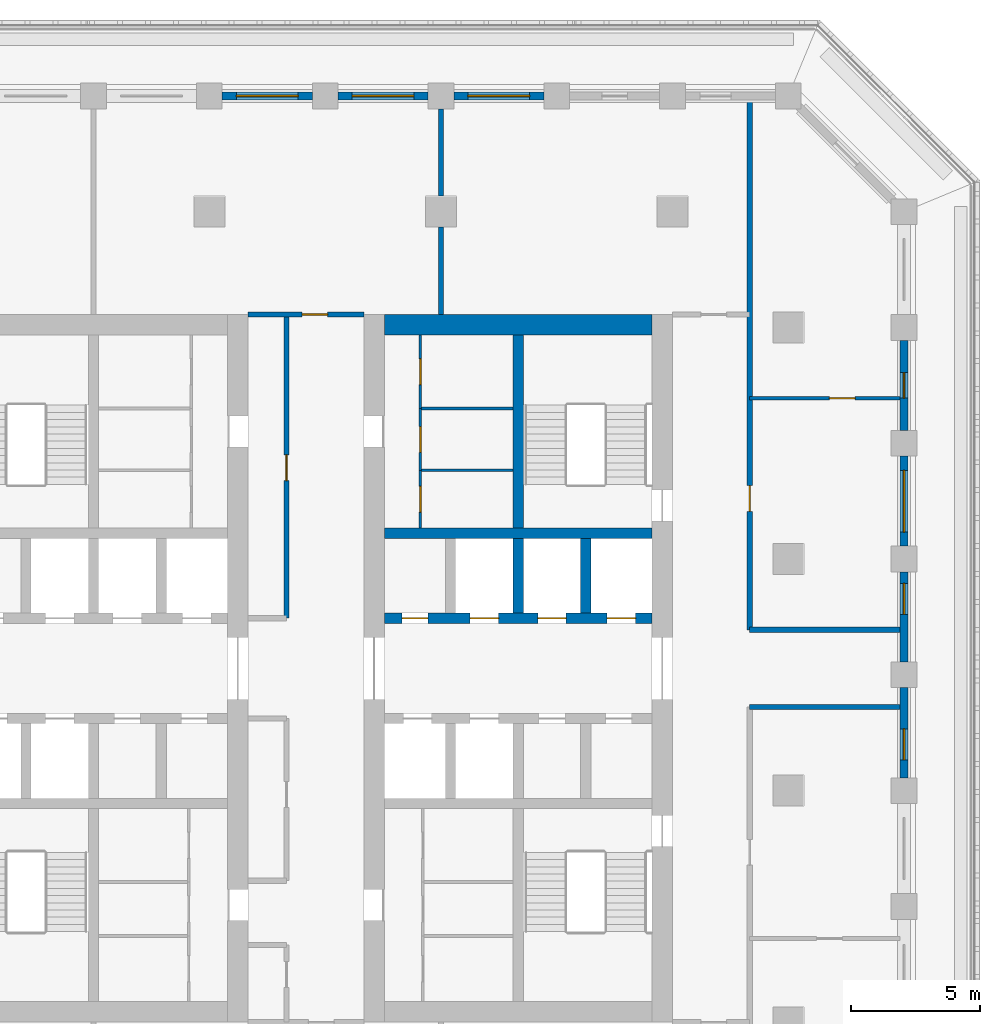
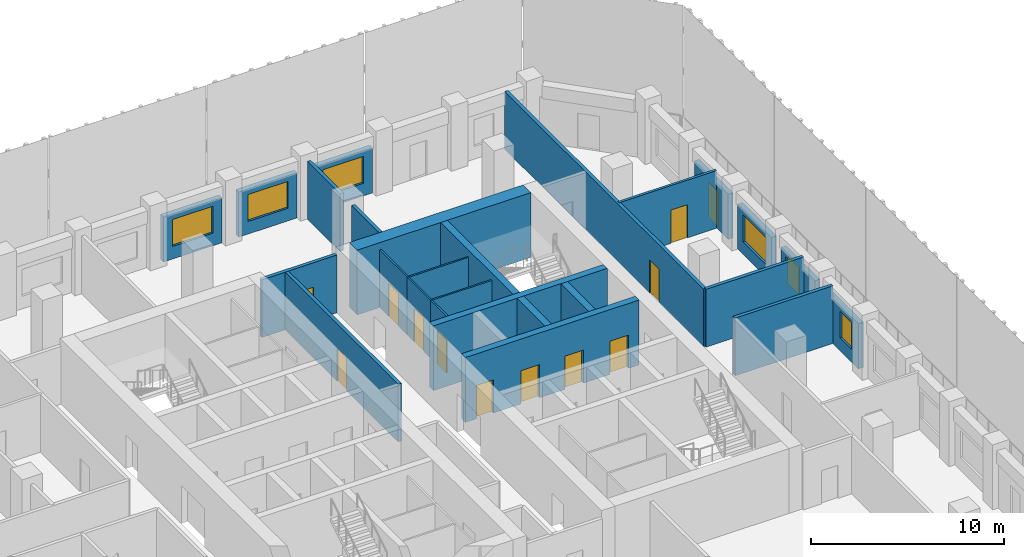
# One storey, part 7 of 16: 26 walls, 12 doors, 6 windows, 18 openings.
"""IFC4 building model written with IfcOpenShell, lengths in metres."""

import ifcopenshell
import ifcopenshell.guid

model = None  # the IFC model being written
_history = None  # IfcOwnerHistory: only IFC2X3 demands one
_inside = {}  # id of a spatial element -> (the spatial element, [elements in it])
_under = {}  # id of a project, library or spatial element -> (it, [spatial elements below it])
_declared = {}  # id of a project -> (the project, [libraries it declares])
_typed = {}  # id of a type object -> (the type object, [elements of that type])
_made_of = {}  # id of a material, layer set ... -> (it, [elements and type objects made of it])


def new_model(schema):
    """Start an empty IFC model of exactly this schema.

    Asked for "IFC4X3", IfcOpenShell would pick the latest addendum, in which some entities
    have other attributes; the version numbers below select the first issue.
    IFC2X3 requires an IfcOwnerHistory on every rooted entity: one is made here for all.
    """
    global model, _history
    if schema == "IFC4X3":
        model = ifcopenshell.file(schema_version=(4, 3, 0, 0))
    else:
        model = ifcopenshell.file(schema=schema)
    _inside.clear()
    _under.clear()
    _declared.clear()
    _typed.clear()
    _made_of.clear()
    _history = None
    if model.schema == "IFC2X3":
        org = make("IfcOrganization", Name="unknown")
        user = make(
            "IfcPersonAndOrganization",
            ThePerson=make("IfcPerson", FamilyName="unknown"),
            TheOrganization=org,
        )
        app = make(
            "IfcApplication",
            ApplicationDeveloper=org,
            Version="unknown",
            ApplicationFullName="unknown",
            ApplicationIdentifier="unknown",
        )
        _history = make(
            "IfcOwnerHistory",
            OwningUser=user,
            OwningApplication=app,
            ChangeAction="ADDED",
            CreationDate=0,
        )
    return model


def make(cls, **values):
    """One entity of the class cls with the attributes given. An attribute that is None is left unset."""
    return model.create_entity(
        cls, **{name: value for name, value in values.items() if value is not None}
    )


def rooted(cls, **values):
    """An entity with a GlobalId (a new one), such as an element, a storey or a relation."""
    return make(cls, GlobalId=ifcopenshell.guid.new(), OwnerHistory=_history, **values)


def si_unit(unit_type, name, prefix=None):
    """IfcSIUnit, for example si_unit("LENGTHUNIT", "METRE", prefix="MILLI")."""
    return make("IfcSIUnit", UnitType=unit_type, Prefix=prefix, Name=name)


def assignment(units):
    """IfcUnitAssignment: the units of a project."""
    return None if units is None else make("IfcUnitAssignment", Units=units)


def point(xyz):
    """IfcCartesianPoint."""
    return None if xyz is None else make("IfcCartesianPoint", Coordinates=xyz)


def direction(xyz):
    """IfcDirection."""
    return None if xyz is None else make("IfcDirection", DirectionRatios=xyz)


def frame(location, z_axis=None, x_axis=None):
    """IfcAxis2Placement3D, a coordinate frame: its origin and axes. An axis left out is left unset."""
    return make(
        "IfcAxis2Placement3D",
        Location=point(location),
        Axis=direction(z_axis),
        RefDirection=direction(x_axis),
    )


def frame_2d(location, x_axis=None):
    """IfcAxis2Placement2D, a coordinate frame in the plane: its origin and x axis."""
    return make(
        "IfcAxis2Placement2D", Location=point(location), RefDirection=direction(x_axis)
    )


def origin():
    """The frame at (0, 0, 0) with its axes left unset."""
    return frame((0.0, 0.0, 0.0))


def place(relative_to, where):
    """IfcLocalPlacement: puts the frame where relative to a parent placement (None: the world)."""
    return make(
        "IfcLocalPlacement", PlacementRelTo=relative_to, RelativePlacement=where
    )


def context(
    kind, dimensions, precision=None, world=None, true_north=None, identifier=None
):
    """IfcGeometricRepresentationContext, for example the 3D "Model" context."""
    return make(
        "IfcGeometricRepresentationContext",
        ContextIdentifier=identifier,
        ContextType=kind,
        CoordinateSpaceDimension=dimensions,
        Precision=precision,
        WorldCoordinateSystem=world,
        TrueNorth=true_north,
    )


def subcontext(parent, identifier, kind, view, scale=None):
    """IfcGeometricRepresentationSubContext, for example "Body" below "Model"."""
    return make(
        "IfcGeometricRepresentationSubContext",
        ContextIdentifier=identifier,
        ContextType=kind,
        ParentContext=parent,
        TargetScale=scale,
        TargetView=view,
    )


def project(units=None, contexts=None):
    """IfcProject with its units and contexts."""
    return rooted(
        "IfcProject",
        Name="project",
        RepresentationContexts=contexts,
        UnitsInContext=assignment(units),
    )


def spatial(cls, under=None, at=None, **own):
    """A site, building, storey or space (cls), placed at a placement, below another one or the project."""
    s = rooted(cls, ObjectPlacement=at, **own)
    if under is not None:
        _under.setdefault(under.id(), (under, []))[1].append(s)
    return s


def profile(cls, at=None, kind="AREA", **sizes):
    """A parametric profile (cls). Its sizes go by their IFC names, for example OverallWidth=200.0."""
    return make(cls, ProfileType=kind, Position=at, **sizes)


def rectangle(**sizes):
    """IfcRectangleProfileDef."""
    return profile("IfcRectangleProfileDef", **sizes)


def extrude(swept, where, along, depth):
    """IfcExtrudedAreaSolid: the profile swept, set in the frame where, extruded along a direction by depth."""
    return make(
        "IfcExtrudedAreaSolid",
        SweptArea=swept,
        Position=where,
        ExtrudedDirection=direction(along),
        Depth=depth,
    )


def shape(context_of_items, identifier, shape_type, items):
    """IfcShapeRepresentation: the items that make up one representation, for example the "Body"."""
    return make(
        "IfcShapeRepresentation",
        ContextOfItems=context_of_items,
        RepresentationIdentifier=identifier,
        RepresentationType=shape_type,
        Items=items,
    )


def material(Name=None, Category=None):
    """IfcMaterial."""
    return make("IfcMaterial", Name=Name, Category=Category)


def layer(
    of_material, thickness, ventilated=None, Name=None, Category=None, Priority=None
):
    """IfcMaterialLayer: one layer of a wall or slab, of a material (None: an air gap)."""
    return make(
        "IfcMaterialLayer",
        Material=of_material,
        LayerThickness=thickness,
        IsVentilated=ventilated,
        Name=Name,
        Category=Category,
        Priority=Priority,
    )


def layer_set(layers, Name=None):
    """IfcMaterialLayerSet."""
    return make("IfcMaterialLayerSet", MaterialLayers=layers, LayerSetName=Name)


def made_of(thing, what):
    """Note that an element or type object is made of a material, layer set ...; save() writes the relation."""
    if what is not None:
        _made_of.setdefault(what.id(), (what, []))[1].append(thing)
    return thing


def type_object(cls, material=None, **own):
    """A type object (cls), such as IfcWallType, which elements share."""
    return made_of(rooted(cls, **own), material)


def element(
    cls,
    number,
    at=None,
    inside=None,
    cuts=None,
    type_object=None,
    material=None,
    context=None,
    identifier="Body",
    shape_type=None,
    held_by="IfcProductDefinitionShape",
    body=None,
    shapes=None,
    **own,
):
    """One element of the class cls, such as IfcWall. Its Tag is "e" and its number.

    at: its placement. inside: the storey or other place that contains it. cuts: it is an
    opening in that element (IfcRelVoidsElement). A single representation is given by context,
    identifier, shape_type and body (its items); several are given by shapes. held_by: the class
    of the entity that holds the representations. save() writes the other relations.
    """
    e = rooted(cls, Tag="e%d" % number, ObjectPlacement=at, **own)
    if body is not None:
        shapes = [shape(context, identifier, shape_type, body)]
    if shapes is not None:
        e.Representation = make(held_by, Representations=shapes)
    if inside is not None:
        _inside.setdefault(inside.id(), (inside, []))[1].append(e)
    if cuts is not None:
        rooted(
            "IfcRelVoidsElement", RelatingBuildingElement=cuts, RelatedOpeningElement=e
        )
    if type_object is not None:
        _typed.setdefault(type_object.id(), (type_object, []))[1].append(e)
    return made_of(e, material)


def fill(opening, filler):
    """IfcRelFillsElement: the door or window that sits in an opening."""
    return rooted(
        "IfcRelFillsElement",
        RelatingOpeningElement=opening,
        RelatedBuildingElement=filler,
    )


def aggregate(whole, parts):
    """IfcRelAggregates: a whole, such as a stair, and the parts it consists of."""
    return rooted("IfcRelAggregates", RelatingObject=whole, RelatedObjects=parts)


def save(model, path):
    """Write the relations noted so far, then the file.

    IfcRelAggregates (storeys below a building ...), IfcRelContainedInSpatialStructure (elements
    in a storey), IfcRelDefinesByType, IfcRelAssociatesMaterial and IfcRelDeclares: one each for
    every whole, place, type object, material and project.
    """
    for whole, parts in _under.values():
        aggregate(whole, parts)
    for where, things in _inside.values():
        rooted(
            "IfcRelContainedInSpatialStructure",
            RelatedElements=things,
            RelatingStructure=where,
        )
    for kind, things in _typed.values():
        rooted("IfcRelDefinesByType", RelatedObjects=things, RelatingType=kind)
    for what, things in _made_of.values():
        rooted("IfcRelAssociatesMaterial", RelatedObjects=things, RelatingMaterial=what)
    for by, libraries in _declared.values():
        rooted("IfcRelDeclares", RelatingContext=by, RelatedDefinitions=libraries)
    model.write(path)


model = new_model("IFC4")

# Units and contexts
model_context = context("Model", 3, precision=1e-05, world=origin(), true_north=direction((0.0, 1.0)))
body_context = subcontext(model_context, "Body", "Model", "MODEL_VIEW")
ifc_project = project(units=[si_unit("LENGTHUNIT", "METRE"), si_unit("AREAUNIT", "SQUARE_METRE"), si_unit("VOLUMEUNIT", "CUBIC_METRE"), si_unit("PLANEANGLEUNIT", "RADIAN"), si_unit("MASSUNIT", "GRAM", prefix="KILO")], contexts=[model_context])

# Site, building, storey
site_placement = place(None, origin())
site = spatial("IfcSite", under=ifc_project, at=site_placement, CompositionType="ELEMENT")
building_placement = place(site_placement, origin())
building = spatial("IfcBuilding", under=site, at=building_placement, Name="Corbel Stack Research Tower", CompositionType="ELEMENT")
storey_placement = place(building_placement, frame((0.0, 0.0, 173.199951171875)))
storey = spatial("IfcBuildingStorey", under=building, at=storey_placement, Name="L39", CompositionType="ELEMENT", Elevation=173.199951171875)

# Wall, openings, doors
ifc_material_1 = material(Name="Concrete C60/75", Category="concrete")
ifc_layer_1 = layer(ifc_material_1, 0.39990234375)
ifc_layer_set_1 = layer_set([ifc_layer_1], Name="Concrete C60/75")
wall_type_1 = type_object("IfcWallType", Name="CW-400-60", PredefinedType="SHEAR", material=ifc_layer_set_1)
wall_1_placement = place(storey_placement, frame((6.800048828125, 6.699951171875, 0.0), z_axis=(0.0, 0.0, 1.0), x_axis=(1.0, 0.0, 0.0)))
wall_1 = element("IfcWall", 1, at=wall_1_placement, inside=storey, type_object=wall_type_1, Name="East core wall, lobby north L39", PredefinedType="SHEAR", context=body_context, shape_type="SweptSolid", body=[
    extrude(rectangle(XDim=10.39990234375, YDim=0.39990234375, at=frame_2d((5.199951171875, 0.0))), origin(), (0.0, 0.0, 1.0), 4.10009765625),
])
opening_1_placement = place(wall_1_placement, frame((3.33740234375, 0.0, 0.0)))
opening_1 = element("IfcOpeningElement", 2, at=opening_1_placement, cuts=wall_1, Name="Opening LD-HR4", PredefinedType="OPENING", context=body_context, shape_type="SweptSolid", body=[
    extrude(rectangle(XDim=1.10009765625, YDim=2.10009765625, at=frame_2d((0.550048828125, 1.050048828125))), frame((0.0, 0.2099609375, 0.0), z_axis=(0.0, -1.0, 0.0), x_axis=(1.0, 0.0, 0.0)), (0.0, 0.0, 1.0), 0.419921875),
])
opening_2_placement = place(wall_1_placement, frame((5.96240234375, 0.0, 0.0)))
opening_2 = element("IfcOpeningElement", 3, at=opening_2_placement, cuts=wall_1, Name="Opening LD-HR5", PredefinedType="OPENING", context=body_context, shape_type="SweptSolid", body=[
    extrude(rectangle(XDim=1.10009765625, YDim=2.10009765625, at=frame_2d((0.550048828125, 1.050048828125))), frame((0.0, 0.2099609375, 0.0), z_axis=(0.0, -1.0, 0.0), x_axis=(1.0, 0.0, 0.0)), (0.0, 0.0, 1.0), 0.419921875),
])
opening_3_placement = place(wall_1_placement, frame((8.66259765625, 0.0, 0.0)))
opening_3 = element("IfcOpeningElement", 4, at=opening_3_placement, cuts=wall_1, Name="Opening LD-HR6", PredefinedType="OPENING", context=body_context, shape_type="SweptSolid", body=[
    extrude(rectangle(XDim=1.10009765625, YDim=2.10009765625, at=frame_2d((0.550048828125, 1.050048828125))), frame((0.0, 0.2099609375, 0.0), z_axis=(0.0, -1.0, 0.0), x_axis=(1.0, 0.0, 0.0)), (0.0, 0.0, 1.0), 0.419921875),
])
opening_4_placement = place(wall_1_placement, frame((0.6875, 0.0, 0.0)))
opening_4 = element("IfcOpeningElement", 5, at=opening_4_placement, cuts=wall_1, Name="Opening CR-E12-N1", PredefinedType="OPENING", context=body_context, shape_type="SweptSolid", body=[
    extrude(rectangle(XDim=1.0, YDim=2.10009765625, at=frame_2d((0.5, 1.050048828125))), frame((0.0, 0.2099609375, 0.0), z_axis=(0.0, -1.0, 0.0), x_axis=(1.0, 0.0, 0.0)), (0.0, 0.0, 1.0), 0.419921875),
])
ifc_material_2 = material(Name="Stainless steel landing door", Category="steel")
door_type_1 = type_object("IfcDoorType", Name="Lift landing door 1100 x 2100", OperationType="DOUBLE_DOOR_SLIDING", PredefinedType="DOOR", material=ifc_material_2)
door_1_placement = place(opening_1_placement, origin())
door_1 = element("IfcDoor", 6, at=door_1_placement, inside=storey, type_object=door_type_1, Name="Landing door HR4", OperationType="DOUBLE_DOOR_SLIDING", OverallHeight=2.10009765625, OverallWidth=1.10009765625, PredefinedType="DOOR", context=body_context, shape_type="SweptSolid", body=[
    extrude(rectangle(XDim=1.10009765625, YDim=2.10009765625, at=frame_2d((0.550048828125, 1.050048828125))), frame((0.0, 0.02490234375, 0.0), z_axis=(0.0, -1.0, 0.0), x_axis=(1.0, 0.0, 0.0)), (0.0, 0.0, 1.0), 0.050048828125),
])
fill(opening_1, door_1)
door_2_placement = place(opening_2_placement, origin())
door_2 = element("IfcDoor", 7, at=door_2_placement, inside=storey, type_object=door_type_1, Name="Landing door HR5", OperationType="DOUBLE_DOOR_SLIDING", OverallHeight=2.10009765625, OverallWidth=1.10009765625, PredefinedType="DOOR", context=body_context, shape_type="SweptSolid", body=[
    extrude(rectangle(XDim=1.10009765625, YDim=2.10009765625, at=frame_2d((0.550048828125, 1.050048828125))), frame((0.0, 0.02490234375, 0.0), z_axis=(0.0, -1.0, 0.0), x_axis=(1.0, 0.0, 0.0)), (0.0, 0.0, 1.0), 0.050048828125),
])
fill(opening_2, door_2)
door_3_placement = place(opening_3_placement, origin())
door_3 = element("IfcDoor", 8, at=door_3_placement, inside=storey, type_object=door_type_1, Name="Landing door HR6", OperationType="DOUBLE_DOOR_SLIDING", OverallHeight=2.10009765625, OverallWidth=1.10009765625, PredefinedType="DOOR", context=body_context, shape_type="SweptSolid", body=[
    extrude(rectangle(XDim=1.10009765625, YDim=2.10009765625, at=frame_2d((0.550048828125, 1.050048828125))), frame((0.0, 0.02490234375, 0.0), z_axis=(0.0, -1.0, 0.0), x_axis=(1.0, 0.0, 0.0)), (0.0, 0.0, 1.0), 0.050048828125),
])
fill(opening_3, door_3)
ifc_material_3 = material(Name="Painted steel door", Category="steel")
door_type_2 = type_object("IfcDoorType", Name="Service door 1000 x 2100 FD60 left hand", OperationType="SINGLE_SWING_LEFT", PredefinedType="DOOR", material=ifc_material_3)
door_4_placement = place(opening_4_placement, origin())
door_4 = element("IfcDoor", 9, at=door_4_placement, inside=storey, type_object=door_type_2, Name="Cleaner's store door E core", OperationType="SINGLE_SWING_LEFT", OverallHeight=2.10009765625, OverallWidth=1.0, PredefinedType="DOOR", context=body_context, shape_type="SweptSolid", body=[
    extrude(rectangle(XDim=1.0, YDim=2.10009765625, at=frame_2d((0.5, 1.050048828125))), frame((0.0, 0.02490234375, 0.0), z_axis=(0.0, -1.0, 0.0), x_axis=(1.0, 0.0, 0.0)), (0.0, 0.0, 1.0), 0.050048828125),
])
fill(opening_4, door_4)

# Walls
wall_2_placement = place(storey_placement, frame((6.800048828125, 10.0, 0.0), z_axis=(0.0, 0.0, 1.0), x_axis=(1.0, 0.0, 0.0)))
element("IfcWall", 10, at=wall_2_placement, inside=storey, type_object=wall_type_1, Name="East core wall, north row back L39", PredefinedType="SHEAR", context=body_context, shape_type="SweptSolid", body=[
    extrude(rectangle(XDim=10.39990234375, YDim=0.39990234375, at=frame_2d((5.199951171875, 0.0))), origin(), (0.0, 0.0, 1.0), 4.10009765625),
])
for number, where, z_axis, x_axis, name in (
    (11, (12.0, 6.89990234375, 0.0), (0.0, 0.0, 1.0), (0.0, 1.0, 0.0), "East core wall, north shaft 2 L39"),
    (12, (14.625, 6.89990234375, 0.0), (0.0, 0.0, 1.0), (0.0, 1.0, 0.0), "East core wall, north shaft 3 L39"),
):
    element("IfcWall", number, at=place(storey_placement, frame(where, z_axis=z_axis, x_axis=x_axis)), inside=storey, type_object=wall_type_1, Name=name, PredefinedType="SHEAR", context=body_context, shape_type="SweptSolid", body=[
        extrude(rectangle(XDim=2.900146484375, YDim=0.39990234375, at=frame_2d((1.4501953125, 0.0))), origin(), (0.0, 0.0, 1.0), 4.10009765625),
    ])
wall_3_placement = place(storey_placement, frame((12.0, 10.199951171875, 0.0), z_axis=(0.0, 0.0, 1.0), x_axis=(0.0, 1.0, 0.0)))
element("IfcWall", 13, at=wall_3_placement, inside=storey, type_object=wall_type_1, Name="East core wall, north stair and riser L39", PredefinedType="SHEAR", context=body_context, shape_type="SweptSolid", body=[
    extrude(rectangle(XDim=7.5, YDim=0.39990234375, at=frame_2d((3.75, 0.0))), origin(), (0.0, 0.0, 1.0), 4.10009765625),
])
ifc_material_4 = material(Name="Concrete C60/75", Category="concrete")
ifc_layer_2 = layer(ifc_material_4, 0.800048828125)
ifc_layer_set_2 = layer_set([ifc_layer_2], Name="Concrete C60/75")
wall_type_2 = type_object("IfcWallType", Name="CW-800-60", PredefinedType="SHEAR", material=ifc_layer_set_2)
wall_4_placement = place(storey_placement, frame((6.800048828125, 18.10009765625, 0.0), z_axis=(0.0, 0.0, 1.0), x_axis=(1.0, 0.0, 0.0)))
element("IfcWall", 14, at=wall_4_placement, inside=storey, type_object=wall_type_2, Name="East core wall, north end L39", PredefinedType="SHEAR", context=body_context, shape_type="SweptSolid", body=[
    extrude(rectangle(XDim=10.39990234375, YDim=0.800048828125, at=frame_2d((5.199951171875, 0.0))), origin(), (0.0, 0.0, 1.0), 4.10009765625),
])

# Wall, opening, door
ifc_material_5 = material(Name="Gypsum board")
ifc_layer_3 = layer(ifc_material_5, 0.10009765625)
ifc_layer_set_3 = layer_set([ifc_layer_3], Name="Gypsum board")
wall_type_3 = type_object("IfcWallType", Name="Core partition 100", PredefinedType="PARTITIONING", material=ifc_layer_set_3)
wall_5_placement = place(storey_placement, frame((8.199951171875, 10.199951171875, 0.0), z_axis=(0.0, 0.0, 1.0), x_axis=(0.0, 1.0, 0.0)))
wall_5 = element("IfcWall", 15, at=wall_5_placement, inside=storey, type_object=wall_type_3, Name="Core partition E", PredefinedType="PARTITIONING", context=body_context, shape_type="SweptSolid", body=[
    extrude(rectangle(XDim=2.25, YDim=0.10009765625, at=frame_2d((1.125, 0.0))), origin(), (0.0, 0.0, 1.0), 3.650146484375),
])
opening_5_placement = place(wall_5_placement, frame((0.625, 0.0, 0.0)))
opening_5 = element("IfcOpeningElement", 16, at=opening_5_placement, cuts=wall_5, Name="Opening CR-E12-R2-1000", PredefinedType="OPENING", context=body_context, shape_type="SweptSolid", body=[
    extrude(rectangle(XDim=1.0, YDim=2.10009765625, at=frame_2d((0.5, 1.050048828125))), frame((0.0, 0.06005859375, 0.0), z_axis=(0.0, -1.0, 0.0), x_axis=(1.0, 0.0, 0.0)), (0.0, 0.0, 1.0), 0.1201171875),
])
ifc_material_6 = material(Name="Painted steel door", Category="steel")
door_type_3 = type_object("IfcDoorType", Name="Riser door 1000 x 2100 FD60 left hand", OperationType="SINGLE_SWING_LEFT", PredefinedType="DOOR", material=ifc_material_6)
door_5_placement = place(opening_5_placement, origin())
door_5 = element("IfcDoor", 17, at=door_5_placement, inside=storey, type_object=door_type_3, Name="Mechanical riser door E core", OperationType="SINGLE_SWING_LEFT", OverallHeight=2.10009765625, OverallWidth=1.0, PredefinedType="DOOR", context=body_context, shape_type="SweptSolid", body=[
    extrude(rectangle(XDim=1.0, YDim=2.10009765625, at=frame_2d((0.5, 1.050048828125))), frame((0.0, 0.02490234375, 0.0), z_axis=(0.0, -1.0, 0.0), x_axis=(1.0, 0.0, 0.0)), (0.0, 0.0, 1.0), 0.050048828125),
])
fill(opening_5, door_5)

wall_6_placement = place(storey_placement, frame((8.199951171875, 12.449951171875, 0.0), z_axis=(0.0, 0.0, 1.0), x_axis=(0.0, 1.0, 0.0)))
wall_6 = element("IfcWall", 18, at=wall_6_placement, inside=storey, type_object=wall_type_3, Name="Core partition E", PredefinedType="PARTITIONING", context=body_context, shape_type="SweptSolid", body=[
    extrude(rectangle(XDim=2.400146484375, YDim=0.10009765625, at=frame_2d((1.2001953125, 0.0))), origin(), (0.0, 0.0, 1.0), 3.650146484375),
])
opening_6_placement = place(wall_6_placement, frame((0.699951171875, 0.0, 0.0)))
opening_6 = element("IfcOpeningElement", 19, at=opening_6_placement, cuts=wall_6, Name="Opening CR-E12-R3-1000", PredefinedType="OPENING", context=body_context, shape_type="SweptSolid", body=[
    extrude(rectangle(XDim=1.0, YDim=2.10009765625, at=frame_2d((0.5, 1.050048828125))), frame((0.0, 0.06005859375, 0.0), z_axis=(0.0, -1.0, 0.0), x_axis=(1.0, 0.0, 0.0)), (0.0, 0.0, 1.0), 0.1201171875),
])
ifc_material_7 = material(Name="Painted steel door", Category="steel")
door_type_4 = type_object("IfcDoorType", Name="Service door 1000 x 2100 FD30 right hand", OperationType="SINGLE_SWING_RIGHT", PredefinedType="DOOR", material=ifc_material_7)
door_6_placement = place(opening_6_placement, origin())
door_6 = element("IfcDoor", 20, at=door_6_placement, inside=storey, type_object=door_type_4, Name="Pantry door E core", OperationType="SINGLE_SWING_RIGHT", OverallHeight=2.10009765625, OverallWidth=1.0, PredefinedType="DOOR", context=body_context, shape_type="SweptSolid", body=[
    extrude(rectangle(XDim=1.0, YDim=2.10009765625, at=frame_2d((0.5, 1.050048828125))), frame((0.0, 0.02490234375, 0.0), z_axis=(0.0, -1.0, 0.0), x_axis=(1.0, 0.0, 0.0)), (0.0, 0.0, 1.0), 0.050048828125),
])
fill(opening_6, door_6)

wall_7_placement = place(storey_placement, frame((8.199951171875, 14.85009765625, 0.0), z_axis=(0.0, 0.0, 1.0), x_axis=(0.0, 1.0, 0.0)))
wall_7 = element("IfcWall", 21, at=wall_7_placement, inside=storey, type_object=wall_type_3, Name="Core partition E", PredefinedType="PARTITIONING", context=body_context, shape_type="SweptSolid", body=[
    extrude(rectangle(XDim=2.849853515625, YDim=0.10009765625, at=frame_2d((1.4248046875, 0.0))), origin(), (0.0, 0.0, 1.0), 3.650146484375),
])
opening_7_placement = place(wall_7_placement, frame((0.925048828125, 0.0, 0.0)))
opening_7 = element("IfcOpeningElement", 22, at=opening_7_placement, cuts=wall_7, Name="Opening CR-E12-R4-1000", PredefinedType="OPENING", context=body_context, shape_type="SweptSolid", body=[
    extrude(rectangle(XDim=1.0, YDim=2.10009765625, at=frame_2d((0.5, 1.050048828125))), frame((0.0, 0.06005859375, 0.0), z_axis=(0.0, -1.0, 0.0), x_axis=(1.0, 0.0, 0.0)), (0.0, 0.0, 1.0), 0.1201171875),
])
door_7_placement = place(opening_7_placement, origin())
door_7 = element("IfcDoor", 23, at=door_7_placement, inside=storey, type_object=door_type_3, Name="Electrical riser door E core", OperationType="SINGLE_SWING_LEFT", OverallHeight=2.10009765625, OverallWidth=1.0, PredefinedType="DOOR", context=body_context, shape_type="SweptSolid", body=[
    extrude(rectangle(XDim=1.0, YDim=2.10009765625, at=frame_2d((0.5, 1.050048828125))), frame((0.0, 0.02490234375, 0.0), z_axis=(0.0, -1.0, 0.0), x_axis=(1.0, 0.0, 0.0)), (0.0, 0.0, 1.0), 0.050048828125),
])
fill(opening_7, door_7)

# Walls
for number, where, z_axis, x_axis, name in (
    (24, (8.199951171875, 12.449951171875, 0.0), (0.0, 0.0, 1.0), (1.0, 0.0, 0.0), "Core partition E"),
    (25, (8.199951171875, 14.85009765625, 0.0), (0.0, 0.0, 1.0), (1.0, 0.0, 0.0), "Core partition E"),
):
    element("IfcWall", number, at=place(storey_placement, frame(where, z_axis=z_axis, x_axis=x_axis)), inside=storey, type_object=wall_type_3, Name=name, PredefinedType="PARTITIONING", context=body_context, shape_type="SweptSolid", body=[
        extrude(rectangle(XDim=3.60009765625, YDim=0.10009765625, at=frame_2d((1.800048828125, 0.0))), origin(), (0.0, 0.0, 1.0), 3.650146484375),
    ])

# Wall, opening, door
ifc_material_8 = material(Name="Fire-rated gypsum board partition on steel studs", Category="steel")
ifc_layer_4 = layer(ifc_material_8, 0.199951171875)
ifc_layer_set_4 = layer_set([ifc_layer_4], Name="Fire-rated gypsum board partition on steel studs")
wall_type_4 = type_object("IfcWallType", Name="Fire-rated partition 200 EI 60", PredefinedType="PARTITIONING", material=ifc_layer_set_4)
wall_8_placement = place(storey_placement, frame((3.0, 6.699951171875, 0.0), z_axis=(0.0, 0.0, 1.0), x_axis=(0.0, 1.0, 0.0)))
wall_8 = element("IfcWall", 26, at=wall_8_placement, inside=storey, type_object=wall_type_4, Name="Partition L39-015", PredefinedType="PARTITIONING", context=body_context, shape_type="SweptSolid", body=[
    extrude(rectangle(XDim=11.800048828125, YDim=0.199951171875, at=frame_2d((5.89990234375, 0.0))), origin(), (0.0, 0.0, 1.0), 3.650146484375),
])
opening_8_placement = place(wall_8_placement, frame((5.35009765625, 0.0, 0.0)))
opening_8 = element("IfcOpeningElement", 27, at=opening_8_placement, cuts=wall_8, Name="Opening B5V1-014", PredefinedType="OPENING", context=body_context, shape_type="SweptSolid", body=[
    extrude(rectangle(XDim=1.0, YDim=2.10009765625, at=frame_2d((0.5, 1.050048828125))), frame((0.0, 0.10986328125, 0.0), z_axis=(0.0, -1.0, 0.0), x_axis=(1.0, 0.0, 0.0)), (0.0, 0.0, 1.0), 0.219970703125),
])
ifc_material_9 = material(Name="Painted steel fire door", Category="steel")
door_type_5 = type_object("IfcDoorType", Name="Fire door FD30S 1000 x 2100", OperationType="NOTDEFINED", PredefinedType="DOOR", material=ifc_material_9)
door_8_placement = place(opening_8_placement, origin())
door_8 = element("IfcDoor", 28, at=door_8_placement, inside=storey, type_object=door_type_5, Name="Door B5V1-014", OperationType="SINGLE_SWING_LEFT", OverallHeight=2.10009765625, OverallWidth=1.0, PredefinedType="DOOR", context=body_context, shape_type="SweptSolid", body=[
    extrude(rectangle(XDim=1.0, YDim=2.10009765625, at=frame_2d((0.5, 1.050048828125))), frame((0.0, 0.02490234375, 0.0), z_axis=(0.0, -1.0, 0.0), x_axis=(1.0, 0.0, 0.0)), (0.0, 0.0, 1.0), 0.050048828125),
])
fill(opening_8, door_8)

# Walls
for number, where, z_axis, x_axis, name in (
    (29, (9.0, 18.5, 0.0), (0.0, 0.0, 1.0), (0.0, 1.0, 0.0), "Partition L39-018"),
    (30, (9.0, 23.10009765625, 0.0), (0.0, 0.0, 1.0), (0.0, 1.0, 0.0), "Partition L39-019"),
):
    element("IfcWall", number, at=place(storey_placement, frame(where, z_axis=z_axis, x_axis=x_axis)), inside=storey, type_object=wall_type_4, Name=name, PredefinedType="PARTITIONING", context=body_context, shape_type="SweptSolid", body=[
        extrude(rectangle(XDim=3.39990234375, YDim=0.199951171875, at=frame_2d((1.699951171875, 0.0))), origin(), (0.0, 0.0, 1.0), 3.650146484375),
    ])

# Wall, opening, door
wall_9_placement = place(storey_placement, frame((21.0, 26.85009765625, 0.0), z_axis=(0.0, 0.0, 1.0), x_axis=(0.0, -1.0, 0.0)))
wall_9 = element("IfcWall", 31, at=wall_9_placement, inside=storey, type_object=wall_type_4, Name="Partition L39-021", PredefinedType="PARTITIONING", context=body_context, shape_type="SweptSolid", body=[
    extrude(rectangle(XDim=20.60009765625, YDim=0.199951171875, at=frame_2d((10.300048828125, 0.0))), origin(), (0.0, 0.0, 1.0), 3.650146484375),
])
opening_9_placement = place(wall_9_placement, frame((15.0, 0.0, 0.0)))
opening_9 = element("IfcOpeningElement", 32, at=opening_9_placement, cuts=wall_9, Name="Opening B5V1-024", PredefinedType="OPENING", context=body_context, shape_type="SweptSolid", body=[
    extrude(rectangle(XDim=1.0, YDim=2.10009765625, at=frame_2d((0.5, 1.050048828125))), frame((0.0, 0.10986328125, 0.0), z_axis=(0.0, -1.0, 0.0), x_axis=(1.0, 0.0, 0.0)), (0.0, 0.0, 1.0), 0.219970703125),
])
door_9_placement = place(opening_9_placement, origin())
door_9 = element("IfcDoor", 33, at=door_9_placement, inside=storey, type_object=door_type_5, Name="Door B5V1-024", OperationType="SINGLE_SWING_RIGHT", OverallHeight=2.10009765625, OverallWidth=1.0, PredefinedType="DOOR", context=body_context, shape_type="SweptSolid", body=[
    extrude(rectangle(XDim=1.0, YDim=2.10009765625, at=frame_2d((0.5, 1.050048828125))), frame((0.0, 0.02490234375, 0.0), z_axis=(0.0, -1.0, 0.0), x_axis=(1.0, 0.0, 0.0)), (0.0, 0.0, 1.0), 0.050048828125),
])
fill(opening_9, door_9)

# Walls
for number, where, z_axis, x_axis, name in (
    (34, (21.0, 3.25, 0.0), (0.0, 0.0, 1.0), (1.0, 0.0, 0.0), "Partition L39-036"),
    (35, (21.0, 6.25, 0.0), (0.0, 0.0, 1.0), (1.0, 0.0, 0.0), "Partition L39-038"),
):
    element("IfcWall", number, at=place(storey_placement, frame(where, z_axis=z_axis, x_axis=x_axis)), inside=storey, type_object=wall_type_4, Name=name, PredefinedType="PARTITIONING", context=body_context, shape_type="SweptSolid", body=[
        extrude(rectangle(XDim=5.85009765625, YDim=0.199951171875, at=frame_2d((2.925048828125, 0.0))), origin(), (0.0, 0.0, 1.0), 3.650146484375),
    ])

# Wall, opening, door
wall_10_placement = place(storey_placement, frame((1.5, 18.5, 0.0), z_axis=(0.0, 0.0, 1.0), x_axis=(1.0, 0.0, 0.0)))
wall_10 = element("IfcWall", 36, at=wall_10_placement, inside=storey, type_object=wall_type_4, Name="Partition L39-043", PredefinedType="PARTITIONING", context=body_context, shape_type="SweptSolid", body=[
    extrude(rectangle(XDim=4.5, YDim=0.199951171875, at=frame_2d((2.25, 0.0))), origin(), (0.0, 0.0, 1.0), 3.650146484375),
])
opening_10_placement = place(wall_10_placement, frame((2.10009765625, 0.0, 0.0)))
opening_10 = element("IfcOpeningElement", 37, at=opening_10_placement, cuts=wall_10, Name="Opening B5V1-021", PredefinedType="OPENING", context=body_context, shape_type="SweptSolid", body=[
    extrude(rectangle(XDim=1.0, YDim=2.10009765625, at=frame_2d((0.5, 1.050048828125))), frame((0.0, 0.10986328125, 0.0), z_axis=(0.0, -1.0, 0.0), x_axis=(1.0, 0.0, 0.0)), (0.0, 0.0, 1.0), 0.219970703125),
])
door_10_placement = place(opening_10_placement, origin())
door_10 = element("IfcDoor", 38, at=door_10_placement, inside=storey, type_object=door_type_5, Name="Door B5V1-021", OperationType="SINGLE_SWING_RIGHT", OverallHeight=2.10009765625, OverallWidth=1.0, PredefinedType="DOOR", context=body_context, shape_type="SweptSolid", body=[
    extrude(rectangle(XDim=1.0, YDim=2.10009765625, at=frame_2d((0.5, 1.050048828125))), frame((0.0, 0.02490234375, 0.0), z_axis=(0.0, -1.0, 0.0), x_axis=(1.0, 0.0, 0.0)), (0.0, 0.0, 1.0), 0.050048828125),
])
fill(opening_10, door_10)

ifc_material_10 = material(Name="Gypsum board partition on steel studs", Category="steel")
ifc_layer_5 = layer(ifc_material_10, 0.14990234375)
ifc_layer_set_5 = layer_set([ifc_layer_5], Name="Gypsum board partition on steel studs")
wall_type_5 = type_object("IfcWallType", Name="Partition 150", PredefinedType="PARTITIONING", material=ifc_layer_set_5)
wall_11_placement = place(storey_placement, frame((21.0, 15.25, 0.0), z_axis=(0.0, 0.0, 1.0), x_axis=(1.0, 0.0, 0.0)))
wall_11 = element("IfcWall", 39, at=wall_11_placement, inside=storey, type_object=wall_type_5, Name="Partition L39-041", PredefinedType="PARTITIONING", context=body_context, shape_type="SweptSolid", body=[
    extrude(rectangle(XDim=5.85009765625, YDim=0.14990234375, at=frame_2d((2.925048828125, 0.0))), origin(), (0.0, 0.0, 1.0), 3.650146484375),
])
opening_11_placement = place(wall_11_placement, frame((3.10009765625, 0.0, 0.0)))
opening_11 = element("IfcOpeningElement", 40, at=opening_11_placement, cuts=wall_11, Name="Opening B5V1-019", PredefinedType="OPENING", context=body_context, shape_type="SweptSolid", body=[
    extrude(rectangle(XDim=1.0, YDim=2.10009765625, at=frame_2d((0.5, 1.050048828125))), frame((0.0, 0.0849609375, 0.0), z_axis=(0.0, -1.0, 0.0), x_axis=(1.0, 0.0, 0.0)), (0.0, 0.0, 1.0), 0.169921875),
])
ifc_material_11 = material(Name="Painted timber door", Category="wood")
door_type_6 = type_object("IfcDoorType", Name="Single door 1000 x 2100", OperationType="NOTDEFINED", PredefinedType="DOOR", material=ifc_material_11)
door_11_placement = place(opening_11_placement, origin())
door_11 = element("IfcDoor", 41, at=door_11_placement, inside=storey, type_object=door_type_6, Name="Door B5V1-019", OperationType="SINGLE_SWING_RIGHT", OverallHeight=2.10009765625, OverallWidth=1.0, PredefinedType="DOOR", context=body_context, shape_type="SweptSolid", body=[
    extrude(rectangle(XDim=1.0, YDim=2.10009765625, at=frame_2d((0.5, 1.050048828125))), frame((0.0, 0.02490234375, 0.0), z_axis=(0.0, -1.0, 0.0), x_axis=(1.0, 0.0, 0.0)), (0.0, 0.0, 1.0), 0.050048828125),
])
fill(opening_11, door_11)

# Wall, opening, window
ifc_material_12 = material(Name="Concrete C45/55", Category="concrete")
ifc_layer_6 = layer(ifc_material_12, 0.300048828125)
ifc_layer_set_6 = layer_set([ifc_layer_6], Name="Concrete C45/55")
wall_type_6 = type_object("IfcWallType", Name="Terracotta-faced concrete wall 300", PredefinedType="SOLIDWALL", material=ifc_layer_set_6)
wall_12_placement = place(storey_placement, frame((27.0, 4.0, 0.0), z_axis=(0.0, 0.0, 1.0), x_axis=(0.0, -1.0, 0.0)))
wall_12 = element("IfcWall", 42, at=wall_12_placement, inside=storey, type_object=wall_type_6, Name="Facade wall L39 E06", PredefinedType="SOLIDWALL", context=body_context, shape_type="SweptSolid", body=[
    extrude(rectangle(XDim=3.5, YDim=0.300048828125, at=frame_2d((1.75, 0.0))), origin(), (0.0, 0.0, 1.0), 2.85009765625),
])
opening_12_placement = place(wall_12_placement, frame((1.60009765625, 0.0, 0.800048828125)))
opening_12 = element("IfcOpeningElement", 43, at=opening_12_placement, cuts=wall_12, Name="Opening W2", PredefinedType="OPENING", context=body_context, shape_type="SweptSolid", body=[
    extrude(rectangle(XDim=1.199951171875, YDim=1.699951171875, at=frame_2d((0.60009765625, 0.85009765625))), frame((0.0, 0.159912109375, 0.0), z_axis=(0.0, -1.0, 0.0), x_axis=(1.0, 0.0, 0.0)), (0.0, 0.0, 1.0), 0.320068359375),
])
ifc_material_13 = material(Name="Aluminium frame, clear double glazing", Category="aluminium")
window_type_1 = type_object("IfcWindowType", Name="Window W2 1200 x 1700", PartitioningType="SINGLE_PANEL", PredefinedType="WINDOW", material=ifc_material_13)
window_1_placement = place(opening_12_placement, origin())
window_1 = element("IfcWindow", 44, at=window_1_placement, inside=storey, type_object=window_type_1, Name="Window W2 L39 E06", OverallHeight=1.699951171875, OverallWidth=1.199951171875, PartitioningType="SINGLE_PANEL", PredefinedType="WINDOW", context=body_context, shape_type="SweptSolid", body=[
    extrude(rectangle(XDim=1.199951171875, YDim=1.699951171875, at=frame_2d((0.60009765625, 0.85009765625))), frame((0.0, 0.030029296875, 0.0), z_axis=(0.0, -1.0, 0.0), x_axis=(1.0, 0.0, 0.0)), (0.0, 0.0, 1.0), 0.06005859375),
])
fill(opening_12, window_1)

wall_13_placement = place(storey_placement, frame((27.0, 8.5, 0.0), z_axis=(0.0, 0.0, 1.0), x_axis=(0.0, -1.0, 0.0)))
wall_13 = element("IfcWall", 45, at=wall_13_placement, inside=storey, type_object=wall_type_6, Name="Facade wall L39 E07", PredefinedType="SOLIDWALL", context=body_context, shape_type="SweptSolid", body=[
    extrude(rectangle(XDim=3.5, YDim=0.300048828125, at=frame_2d((1.75, 0.0))), origin(), (0.0, 0.0, 1.0), 2.85009765625),
])
opening_13_placement = place(wall_13_placement, frame((0.449951171875, 0.0, 0.800048828125)))
opening_13 = element("IfcOpeningElement", 46, at=opening_13_placement, cuts=wall_13, Name="Opening W2", PredefinedType="OPENING", context=body_context, shape_type="SweptSolid", body=[
    extrude(rectangle(XDim=1.199951171875, YDim=1.699951171875, at=frame_2d((0.60009765625, 0.85009765625))), frame((0.0, 0.159912109375, 0.0), z_axis=(0.0, -1.0, 0.0), x_axis=(1.0, 0.0, 0.0)), (0.0, 0.0, 1.0), 0.320068359375),
])
window_2_placement = place(opening_13_placement, origin())
window_2 = element("IfcWindow", 47, at=window_2_placement, inside=storey, type_object=window_type_1, Name="Window W2 L39 E07", OverallHeight=1.699951171875, OverallWidth=1.199951171875, PartitioningType="SINGLE_PANEL", PredefinedType="WINDOW", context=body_context, shape_type="SweptSolid", body=[
    extrude(rectangle(XDim=1.199951171875, YDim=1.699951171875, at=frame_2d((0.60009765625, 0.85009765625))), frame((0.0, 0.030029296875, 0.0), z_axis=(0.0, -1.0, 0.0), x_axis=(1.0, 0.0, 0.0)), (0.0, 0.0, 1.0), 0.06005859375),
])
fill(opening_13, window_2)

wall_14_placement = place(storey_placement, frame((27.0, 13.0, 0.0), z_axis=(0.0, 0.0, 1.0), x_axis=(0.0, -1.0, 0.0)))
wall_14 = element("IfcWall", 48, at=wall_14_placement, inside=storey, type_object=wall_type_6, Name="Facade wall L39 E08", PredefinedType="SOLIDWALL", context=body_context, shape_type="SweptSolid", body=[
    extrude(rectangle(XDim=3.5, YDim=0.300048828125, at=frame_2d((1.75, 0.0))), origin(), (0.0, 0.0, 1.0), 2.85009765625),
])
opening_14_placement = place(wall_14_placement, frame((0.550048828125, 0.0, 0.800048828125)))
opening_14 = element("IfcOpeningElement", 49, at=opening_14_placement, cuts=wall_14, Name="Opening W1", PredefinedType="OPENING", context=body_context, shape_type="SweptSolid", body=[
    extrude(rectangle(XDim=2.39990234375, YDim=1.699951171875, at=frame_2d((1.199951171875, 0.85009765625))), frame((0.0, 0.159912109375, 0.0), z_axis=(0.0, -1.0, 0.0), x_axis=(1.0, 0.0, 0.0)), (0.0, 0.0, 1.0), 0.320068359375),
])
ifc_material_14 = material(Name="Aluminium frame, clear double glazing", Category="aluminium")
window_type_2 = type_object("IfcWindowType", Name="Window W1 2400 x 1700", PartitioningType="SINGLE_PANEL", PredefinedType="WINDOW", material=ifc_material_14)
window_3_placement = place(opening_14_placement, origin())
window_3 = element("IfcWindow", 50, at=window_3_placement, inside=storey, type_object=window_type_2, Name="Window W1 L39 E08", OverallHeight=1.699951171875, OverallWidth=2.39990234375, PartitioningType="SINGLE_PANEL", PredefinedType="WINDOW", context=body_context, shape_type="SweptSolid", body=[
    extrude(rectangle(XDim=2.39990234375, YDim=1.699951171875, at=frame_2d((1.199951171875, 0.85009765625))), frame((0.0, 0.030029296875, 0.0), z_axis=(0.0, -1.0, 0.0), x_axis=(1.0, 0.0, 0.0)), (0.0, 0.0, 1.0), 0.06005859375),
])
fill(opening_14, window_3)

# Wall, opening, door
wall_15_placement = place(storey_placement, frame((27.0, 17.5, 0.0), z_axis=(0.0, 0.0, 1.0), x_axis=(0.0, -1.0, 0.0)))
wall_15 = element("IfcWall", 51, at=wall_15_placement, inside=storey, type_object=wall_type_6, Name="Facade wall L39 E09", PredefinedType="SOLIDWALL", context=body_context, shape_type="SweptSolid", body=[
    extrude(rectangle(XDim=3.5, YDim=0.300048828125, at=frame_2d((1.75, 0.0))), origin(), (0.0, 0.0, 1.0), 2.85009765625),
])
opening_15_placement = place(wall_15_placement, frame((1.25, 0.0, 0.0)))
opening_15 = element("IfcOpeningElement", 52, at=opening_15_placement, cuts=wall_15, Name="Opening L39-B05", PredefinedType="OPENING", context=body_context, shape_type="SweptSolid", body=[
    extrude(rectangle(XDim=1.0, YDim=2.199951171875, at=frame_2d((0.5, 1.10009765625))), frame((0.0, 0.159912109375, 0.0), z_axis=(0.0, -1.0, 0.0), x_axis=(1.0, 0.0, 0.0)), (0.0, 0.0, 1.0), 0.320068359375),
])
ifc_material_15 = material(Name="Aluminium frame, clear double glazing", Category="aluminium")
door_type_7 = type_object("IfcDoorType", Name="Balcony door BD1 1000 x 2200", OperationType="NOTDEFINED", PredefinedType="DOOR", material=ifc_material_15)
door_12_placement = place(opening_15_placement, origin())
door_12 = element("IfcDoor", 53, at=door_12_placement, inside=storey, type_object=door_type_7, Name="Balcony door L39-B05", OperationType="SINGLE_SWING_RIGHT", OverallHeight=2.199951171875, OverallWidth=1.0, PredefinedType="DOOR", context=body_context, shape_type="SweptSolid", body=[
    extrude(rectangle(XDim=1.0, YDim=2.199951171875, at=frame_2d((0.5, 1.10009765625))), frame((0.0, 0.02490234375, 0.0), z_axis=(0.0, -1.0, 0.0), x_axis=(1.0, 0.0, 0.0)), (0.0, 0.0, 1.0), 0.050048828125),
])
fill(opening_15, door_12)

# Wall, opening, window
wall_16_placement = place(storey_placement, frame((9.5, 27.0, 0.0), z_axis=(0.0, 0.0, 1.0), x_axis=(1.0, 0.0, 0.0)))
wall_16 = element("IfcWall", 54, at=wall_16_placement, inside=storey, type_object=wall_type_6, Name="Facade wall L39 N03", PredefinedType="SOLIDWALL", context=body_context, shape_type="SweptSolid", body=[
    extrude(rectangle(XDim=3.5, YDim=0.300048828125, at=frame_2d((1.75, 0.0))), origin(), (0.0, 0.0, 1.0), 2.85009765625),
])
opening_16_placement = place(wall_16_placement, frame((0.550048828125, 0.0, 0.800048828125)))
opening_16 = element("IfcOpeningElement", 55, at=opening_16_placement, cuts=wall_16, Name="Opening W1", PredefinedType="OPENING", context=body_context, shape_type="SweptSolid", body=[
    extrude(rectangle(XDim=2.39990234375, YDim=1.699951171875, at=frame_2d((1.199951171875, 0.85009765625))), frame((0.0, 0.159912109375, 0.0), z_axis=(0.0, -1.0, 0.0), x_axis=(1.0, 0.0, 0.0)), (0.0, 0.0, 1.0), 0.320068359375),
])
window_4_placement = place(opening_16_placement, origin())
window_4 = element("IfcWindow", 56, at=window_4_placement, inside=storey, type_object=window_type_2, Name="Window W1 L39 N03", OverallHeight=1.699951171875, OverallWidth=2.39990234375, PartitioningType="SINGLE_PANEL", PredefinedType="WINDOW", context=body_context, shape_type="SweptSolid", body=[
    extrude(rectangle(XDim=2.39990234375, YDim=1.699951171875, at=frame_2d((1.199951171875, 0.85009765625))), frame((0.0, 0.030029296875, 0.0), z_axis=(0.0, -1.0, 0.0), x_axis=(1.0, 0.0, 0.0)), (0.0, 0.0, 1.0), 0.06005859375),
])
fill(opening_16, window_4)

wall_17_placement = place(storey_placement, frame((5.0, 27.0, 0.0), z_axis=(0.0, 0.0, 1.0), x_axis=(1.0, 0.0, 0.0)))
wall_17 = element("IfcWall", 57, at=wall_17_placement, inside=storey, type_object=wall_type_6, Name="Facade wall L39 N04", PredefinedType="SOLIDWALL", context=body_context, shape_type="SweptSolid", body=[
    extrude(rectangle(XDim=3.5, YDim=0.300048828125, at=frame_2d((1.75, 0.0))), origin(), (0.0, 0.0, 1.0), 2.85009765625),
])
opening_17_placement = place(wall_17_placement, frame((0.550048828125, 0.0, 0.800048828125)))
opening_17 = element("IfcOpeningElement", 58, at=opening_17_placement, cuts=wall_17, Name="Opening W1", PredefinedType="OPENING", context=body_context, shape_type="SweptSolid", body=[
    extrude(rectangle(XDim=2.39990234375, YDim=1.699951171875, at=frame_2d((1.199951171875, 0.85009765625))), frame((0.0, 0.159912109375, 0.0), z_axis=(0.0, -1.0, 0.0), x_axis=(1.0, 0.0, 0.0)), (0.0, 0.0, 1.0), 0.320068359375),
])
window_5_placement = place(opening_17_placement, origin())
window_5 = element("IfcWindow", 59, at=window_5_placement, inside=storey, type_object=window_type_2, Name="Window W1 L39 N04", OverallHeight=1.699951171875, OverallWidth=2.39990234375, PartitioningType="SINGLE_PANEL", PredefinedType="WINDOW", context=body_context, shape_type="SweptSolid", body=[
    extrude(rectangle(XDim=2.39990234375, YDim=1.699951171875, at=frame_2d((1.199951171875, 0.85009765625))), frame((0.0, 0.030029296875, 0.0), z_axis=(0.0, -1.0, 0.0), x_axis=(1.0, 0.0, 0.0)), (0.0, 0.0, 1.0), 0.06005859375),
])
fill(opening_17, window_5)

wall_18_placement = place(storey_placement, frame((0.5, 27.0, 0.0), z_axis=(0.0, 0.0, 1.0), x_axis=(1.0, 0.0, 0.0)))
wall_18 = element("IfcWall", 60, at=wall_18_placement, inside=storey, type_object=wall_type_6, Name="Facade wall L39 N05", PredefinedType="SOLIDWALL", context=body_context, shape_type="SweptSolid", body=[
    extrude(rectangle(XDim=3.5, YDim=0.300048828125, at=frame_2d((1.75, 0.0))), origin(), (0.0, 0.0, 1.0), 2.85009765625),
])
opening_18_placement = place(wall_18_placement, frame((0.550048828125, 0.0, 0.800048828125)))
opening_18 = element("IfcOpeningElement", 61, at=opening_18_placement, cuts=wall_18, Name="Opening W1", PredefinedType="OPENING", context=body_context, shape_type="SweptSolid", body=[
    extrude(rectangle(XDim=2.39990234375, YDim=1.699951171875, at=frame_2d((1.199951171875, 0.85009765625))), frame((0.0, 0.159912109375, 0.0), z_axis=(0.0, -1.0, 0.0), x_axis=(1.0, 0.0, 0.0)), (0.0, 0.0, 1.0), 0.320068359375),
])
window_6_placement = place(opening_18_placement, origin())
window_6 = element("IfcWindow", 62, at=window_6_placement, inside=storey, type_object=window_type_2, Name="Window W1 L39 N05", OverallHeight=1.699951171875, OverallWidth=2.39990234375, PartitioningType="SINGLE_PANEL", PredefinedType="WINDOW", context=body_context, shape_type="SweptSolid", body=[
    extrude(rectangle(XDim=2.39990234375, YDim=1.699951171875, at=frame_2d((1.199951171875, 0.85009765625))), frame((0.0, 0.030029296875, 0.0), z_axis=(0.0, -1.0, 0.0), x_axis=(1.0, 0.0, 0.0)), (0.0, 0.0, 1.0), 0.06005859375),
])
fill(opening_18, window_6)

save(model, "model.ifc")
